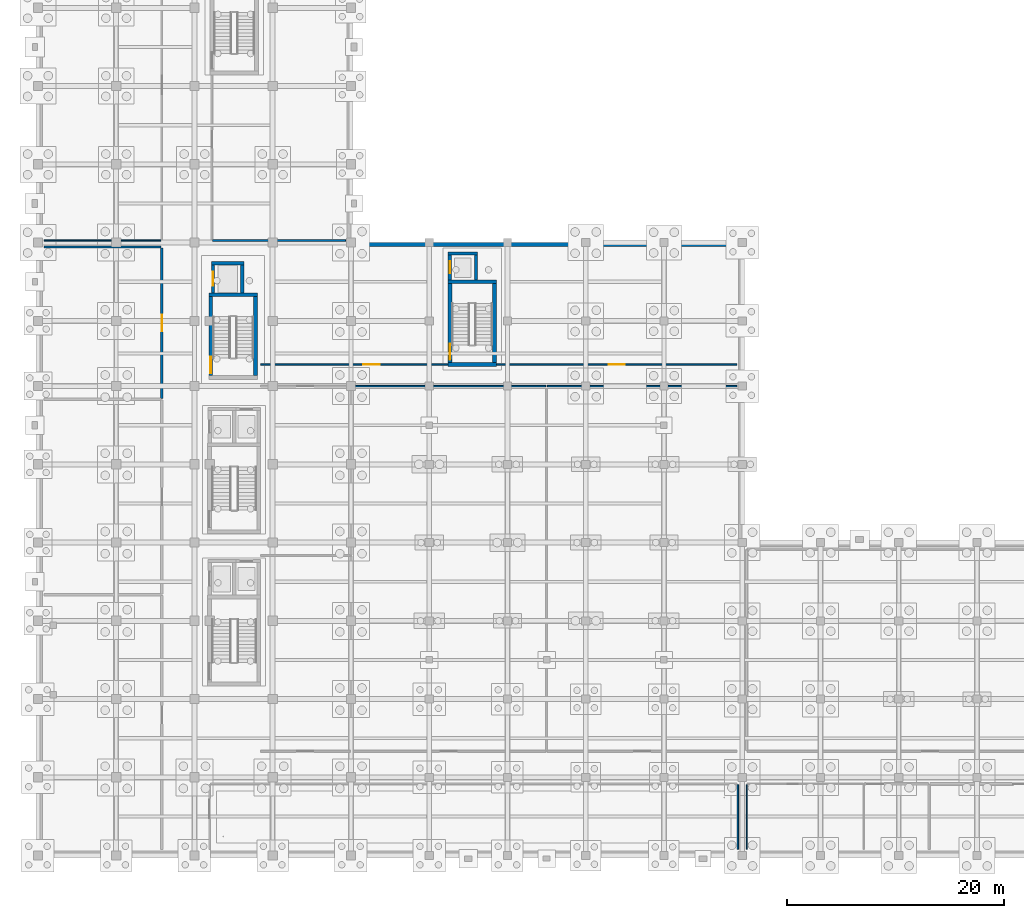
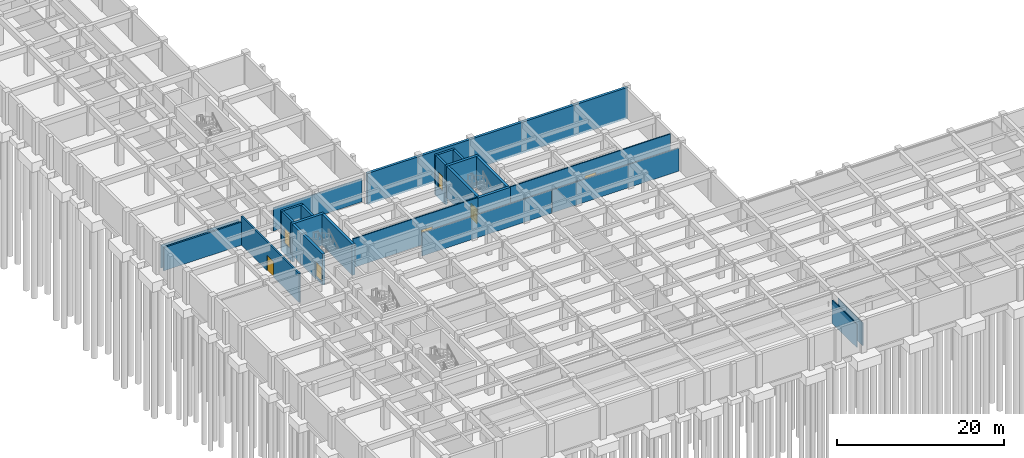
# One storey, part 16 of 28: 24 walls, 7 doors, 7 openings.
"""IFC4 building model written with IfcOpenShell, lengths in metres."""

from ifc_helpers import new_model, si_unit, direction, frame, frame_2d, origin, place, context, subcontext, project, spatial, rectangle, extrude, material, layer, layer_set, type_object, element, fill, save


model = new_model("IFC4")

# Units and contexts
model_context = context("Model", 3, precision=1e-05, world=origin(), true_north=direction((0.0, 1.0)))
body_context = subcontext(model_context, "Body", "Model", "MODEL_VIEW")
ifc_project = project(units=[si_unit("LENGTHUNIT", "METRE"), si_unit("AREAUNIT", "SQUARE_METRE"), si_unit("VOLUMEUNIT", "CUBIC_METRE"), si_unit("PLANEANGLEUNIT", "RADIAN"), si_unit("MASSUNIT", "GRAM", prefix="KILO")], contexts=[model_context])

# Site, building, storey
site_placement = place(None, origin())
site = spatial("IfcSite", under=ifc_project, at=site_placement, CompositionType="ELEMENT")
building_placement = place(site_placement, origin())
building = spatial("IfcBuilding", under=site, at=building_placement, Name="Alvorim Cloister Faculty of Sciences", CompositionType="ELEMENT")
storey_placement = place(building_placement, frame((0.0, 0.0, -4.5)))
storey = spatial("IfcBuildingStorey", under=building, at=storey_placement, Name="B01", CompositionType="ELEMENT", Elevation=-4.5)

# Walls
ifc_material_1 = material(Name="Moisture-Resistant Tile Stud Partition", Category="gypsum")
ifc_layer_1 = layer(ifc_material_1, 0.10009765625)
ifc_layer_set_1 = layer_set([ifc_layer_1], Name="Moisture-Resistant Tile Stud Partition")
wall_type_1 = type_object("IfcWallType", Name="WL-PRT-100", PredefinedType="PARTITIONING", material=ifc_layer_set_1)
wall_1_placement = place(storey_placement, frame((65.199951171875, 0.580078125, 0.0), z_axis=(0.0, 0.0, 1.0), x_axis=(0.0, 1.0, 0.0)))
element("IfcWall", 1, at=wall_1_placement, inside=storey, type_object=wall_type_1, Name="B01 Basement Accessible WCs Partition IWL-0435", PredefinedType="PARTITIONING", context=body_context, shape_type="SweptSolid", body=[
    extrude(rectangle(XDim=5.93994140625, YDim=0.10009765625, at=frame_2d((2.969970703125, 0.0))), origin(), (0.0, 0.0, 1.0), 3.375),
])
ifc_material_2 = material(Name="Acoustic Gypsum Stud Partition", Category="gypsum")
ifc_layer_2 = layer(ifc_material_2, 0.1201171875)
ifc_layer_set_2 = layer_set([ifc_layer_2], Name="Acoustic Gypsum Stud Partition")
wall_type_2 = type_object("IfcWallType", Name="WL-PRT-120", PredefinedType="PARTITIONING", material=ifc_layer_set_2)
wall_2_placement = place(storey_placement, frame((64.39990234375, 0.580078125, 0.0), z_axis=(0.0, 0.0, 1.0), x_axis=(0.0, 1.0, 0.0)))
element("IfcWall", 2, at=wall_2_placement, inside=storey, type_object=wall_type_2, Name="B01 Paleontology and Herbarium Science Collection Partition IWL-0429", PredefinedType="PARTITIONING", context=body_context, shape_type="SweptSolid", body=[
    extrude(rectangle(XDim=5.93994140625, YDim=0.1201171875, at=frame_2d((2.969970703125, 0.0))), origin(), (0.0, 0.0, 1.0), 3.375),
])
wall_3_placement = place(storey_placement, frame((0.580078125, 56.60009765625, 0.0), z_axis=(0.0, 0.0, 1.0), x_axis=(1.0, 0.0, 0.0)))
element("IfcWall", 3, at=wall_3_placement, inside=storey, type_object=wall_type_2, Name="B01 Rare Science Compactus Archive Stack A Partition IWL-0447", PredefinedType="PARTITIONING", context=body_context, shape_type="SweptSolid", body=[
    extrude(rectangle(XDim=10.739990234375, YDim=0.1201171875, at=frame_2d((5.3701171875, 0.0))), origin(), (0.0, 0.0, 1.0), 3.375),
])
ifc_material_3 = material(Name="Gypsum Fireboard Stud Partition", Category="gypsum")
ifc_layer_3 = layer(ifc_material_3, 0.14990234375)
ifc_layer_set_3 = layer_set([ifc_layer_3], Name="Gypsum Fireboard Stud Partition")
wall_type_3 = type_object("IfcWallType", Name="WL-PRT-150", PredefinedType="PARTITIONING", material=ifc_layer_set_3)
wall_4_placement = place(storey_placement, frame((28.8798828125, 43.199951171875, 0.0), z_axis=(0.0, 0.0, 1.0), x_axis=(1.0, 0.0, 0.0)))
element("IfcWall", 4, at=wall_4_placement, inside=storey, type_object=wall_type_3, Name="B01 Sub-Grade Optical Metrology Laboratory West Partition IWL-0423", PredefinedType="PARTITIONING", context=body_context, shape_type="SweptSolid", body=[
    extrude(rectangle(XDim=17.840087890625, YDim=0.14990234375, at=frame_2d((8.919921875, 0.0))), origin(), (0.0, 0.0, 1.0), 3.375),
])
wall_5_placement = place(storey_placement, frame((46.8798828125, 43.199951171875, 0.0), z_axis=(0.0, 0.0, 1.0), x_axis=(1.0, 0.0, 0.0)))
element("IfcWall", 5, at=wall_5_placement, inside=storey, type_object=wall_type_3, Name="B01 Sub-Grade Geochronology and Isotope Laboratory Partition IWL-0425", PredefinedType="PARTITIONING", context=body_context, shape_type="SweptSolid", body=[
    extrude(rectangle(XDim=17.440185546875, YDim=0.14990234375, at=frame_2d((8.72021484375, 0.0))), origin(), (0.0, 0.0, 1.0), 3.375),
])

# Wall, opening, door
wall_6_placement = place(storey_placement, frame((20.47998046875, 45.199951171875, 0.0), z_axis=(0.0, 0.0, 1.0), x_axis=(1.0, 0.0, 0.0)))
wall_6 = element("IfcWall", 6, at=wall_6_placement, inside=storey, type_object=wall_type_3, Name="B01 Analytical Chemistry Preparation Laboratory Partition IWL-0426", PredefinedType="PARTITIONING", context=body_context, shape_type="SweptSolid", body=[
    extrude(rectangle(XDim=17.239990234375, YDim=0.14990234375, at=frame_2d((8.6201171875, 0.0))), origin(), (0.0, 0.0, 1.0), 4.22509765625),
])
opening_1_placement = place(wall_6_placement, frame((9.463623046875, 0.0, 0.0)))
opening_1 = element("IfcOpeningElement", 7, at=opening_1_placement, cuts=wall_6, Name="Opening D-B01-066", PredefinedType="OPENING", context=body_context, shape_type="SweptSolid", body=[
    extrude(rectangle(XDim=1.5, YDim=2.199951171875, at=frame_2d((0.75, 1.10009765625))), frame((0.0, 0.0869140625, 0.0), z_axis=(0.0, -1.0, 0.0), x_axis=(1.0, 0.0, 0.0)), (0.0, 0.0, 1.0), 0.173828125),
])
ifc_material_4 = material(Name="Fire-Rated Laminate Timber", Category="wood")
door_type_1 = type_object("IfcDoorType", Name="DR-LAB-1500x2200", OperationType="NOTDEFINED", PredefinedType="DOOR", material=ifc_material_4)
door_1_placement = place(opening_1_placement, origin())
door_1 = element("IfcDoor", 8, at=door_1_placement, inside=storey, type_object=door_type_1, Name="Analytical Chemistry Preparation Laboratory Door D-B01-066", OperationType="DOUBLE_DOOR_SINGLE_SWING", OverallHeight=2.199951171875, OverallWidth=1.5, PredefinedType="DOOR", context=body_context, shape_type="SweptSolid", body=[
    extrude(rectangle(XDim=1.5, YDim=2.199951171875, at=frame_2d((0.75, 1.10009765625))), frame((0.0, 0.02490234375, 0.0), z_axis=(0.0, -1.0, 0.0), x_axis=(1.0, 0.0, 0.0)), (0.0, 0.0, 1.0), 0.050048828125),
])
fill(opening_1, door_1)

wall_7_placement = place(storey_placement, frame((42.199951171875, 45.199951171875, 0.0), z_axis=(0.0, 0.0, 1.0), x_axis=(1.0, 0.0, 0.0)))
wall_7 = element("IfcWall", 9, at=wall_7_placement, inside=storey, type_object=wall_type_3, Name="B01 Microbiology Media Preparation Laboratory Partition IWL-0427", PredefinedType="PARTITIONING", context=body_context, shape_type="SweptSolid", body=[
    extrude(rectangle(XDim=22.1201171875, YDim=0.14990234375, at=frame_2d((11.06005859375, 0.0))), origin(), (0.0, 0.0, 1.0), 4.22509765625),
])
opening_2_placement = place(wall_7_placement, frame((10.31005859375, 0.0, 0.0)))
opening_2 = element("IfcOpeningElement", 10, at=opening_2_placement, cuts=wall_7, Name="Opening D-B01-067", PredefinedType="OPENING", context=body_context, shape_type="SweptSolid", body=[
    extrude(rectangle(XDim=1.5, YDim=2.199951171875, at=frame_2d((0.75, 1.10009765625))), frame((0.0, 0.0869140625, 0.0), z_axis=(0.0, -1.0, 0.0), x_axis=(1.0, 0.0, 0.0)), (0.0, 0.0, 1.0), 0.173828125),
])
door_2_placement = place(opening_2_placement, origin())
door_2 = element("IfcDoor", 11, at=door_2_placement, inside=storey, type_object=door_type_1, Name="Microbiology Media Preparation Laboratory Door D-B01-067", OperationType="DOUBLE_DOOR_SINGLE_SWING", OverallHeight=2.199951171875, OverallWidth=1.5, PredefinedType="DOOR", context=body_context, shape_type="SweptSolid", body=[
    extrude(rectangle(XDim=1.5, YDim=2.199951171875, at=frame_2d((0.75, 1.10009765625))), frame((0.0, 0.02490234375, 0.0), z_axis=(0.0, -1.0, 0.0), x_axis=(1.0, 0.0, 0.0)), (0.0, 0.0, 1.0), 0.050048828125),
])
fill(opening_2, door_2)

# Wall
wall_8_placement = place(storey_placement, frame((16.080078125, 56.60009765625, 0.0), z_axis=(0.0, 0.0, 1.0), x_axis=(1.0, 0.0, 0.0)))
element("IfcWall", 12, at=wall_8_placement, inside=storey, type_object=wall_type_3, Name="B01 Digital Preservation and Microfilm Lab Partition IWL-0452", PredefinedType="PARTITIONING", context=body_context, shape_type="SweptSolid", body=[
    extrude(rectangle(XDim=12.239990234375, YDim=0.14990234375, at=frame_2d((6.1201171875, 0.0))), origin(), (0.0, 0.0, 1.0), 3.375),
])

# Wall, opening, door
ifc_material_5 = material(Name="Autoclaved Aerated Concrete Blockwork", Category="masonry")
ifc_layer_4 = layer(ifc_material_5, 0.219970703125)
ifc_layer_set_4 = layer_set([ifc_layer_4], Name="Autoclaved Aerated Concrete Blockwork")
wall_type_4 = type_object("IfcWallType", Name="WL-PRT-220", PredefinedType="PARTITIONING", material=ifc_layer_set_4)
wall_9_placement = place(storey_placement, frame((11.39990234375, 42.080078125, 0.0), z_axis=(0.0, 0.0, 1.0), x_axis=(0.0, 1.0, 0.0)))
wall_9 = element("IfcWall", 13, at=wall_9_placement, inside=storey, type_object=wall_type_4, Name="B01 Rainwater Harvesting and Fire Pump Hall Partition IWL-0414", PredefinedType="PARTITIONING", context=body_context, shape_type="SweptSolid", body=[
    extrude(rectangle(XDim=13.83984375, YDim=0.219970703125, at=frame_2d((6.919921875, 0.0))), origin(), (0.0, 0.0, 1.0), 4.22509765625),
])
opening_3_placement = place(wall_9_placement, frame((6.169921875, 0.0, 0.0)))
opening_3 = element("IfcOpeningElement", 14, at=opening_3_placement, cuts=wall_9, Name="Opening D-B01-061", PredefinedType="OPENING", context=body_context, shape_type="SweptSolid", body=[
    extrude(rectangle(XDim=1.5, YDim=2.25, at=frame_2d((0.75, 1.125))), frame((0.0, 0.1220703125, 0.0), z_axis=(0.0, -1.0, 0.0), x_axis=(1.0, 0.0, 0.0)), (0.0, 0.0, 1.0), 0.243896484375),
])
ifc_material_6 = material(Name="Galvanised Fire-Rated Steel", Category="steel")
door_type_2 = type_object("IfcDoorType", Name="DR-PLN-1500x2250", OperationType="NOTDEFINED", PredefinedType="DOOR", material=ifc_material_6)
door_3_placement = place(opening_3_placement, origin())
door_3 = element("IfcDoor", 15, at=door_3_placement, inside=storey, type_object=door_type_2, Name="Rainwater Harvesting and Fire Pump Hall Door D-B01-061", OperationType="DOUBLE_DOOR_SINGLE_SWING", OverallHeight=2.25, OverallWidth=1.5, PredefinedType="DOOR", context=body_context, shape_type="SweptSolid", body=[
    extrude(rectangle(XDim=1.5, YDim=2.25, at=frame_2d((0.75, 1.125))), frame((0.0, 0.02490234375, 0.0), z_axis=(0.0, -1.0, 0.0), x_axis=(1.0, 0.0, 0.0)), (0.0, 0.0, 1.0), 0.050048828125),
])
fill(opening_3, door_3)

# Walls
wall_10_placement = place(storey_placement, frame((0.580078125, 56.0, 0.0), z_axis=(0.0, 0.0, 1.0), x_axis=(1.0, 0.0, 0.0)))
element("IfcWall", 16, at=wall_10_placement, inside=storey, type_object=wall_type_4, Name="B01 Rainwater Harvesting and Fire Pump Hall Partition IWL-0415", PredefinedType="PARTITIONING", context=body_context, shape_type="SweptSolid", body=[
    extrude(rectangle(XDim=10.739990234375, YDim=0.219970703125, at=frame_2d((5.3701171875, 0.0))), origin(), (0.0, 0.0, 1.0), 3.375),
])
ifc_material_7 = material(Name="Concrete C40", Category="concrete")
ifc_layer_5 = layer(ifc_material_7, 0.35009765625)
ifc_layer_set_5 = layer_set([ifc_layer_5], Name="Concrete C40")
wall_type_5 = type_object("IfcWallType", Name="WL-RET-350", PredefinedType="USERDEFINED", material=ifc_layer_set_5)
wall_11_placement = place(storey_placement, frame((28.800048828125, 56.22509765625, -0.300048828125), z_axis=(0.0, 0.0, 1.0), x_axis=(1.0, 0.0, 0.0)))
element("IfcWall", 17, at=wall_11_placement, inside=storey, type_object=wall_type_5, Name="B01 Perimeter Retaining Wall WL-RET-0014", ObjectType="RETAINING WALL", PredefinedType="USERDEFINED", context=body_context, shape_type="SweptSolid", body=[
    extrude(rectangle(XDim=36.0, YDim=0.35009765625, at=frame_2d((18.0, 0.0))), origin(), (0.0, 0.0, 1.0), 4.5400390625),
])
ifc_layer_6 = layer(ifc_material_7, 0.300048828125)
ifc_layer_set_6 = layer_set([ifc_layer_6], Name="Concrete C40")
wall_type_6 = type_object("IfcWallType", Name="WL-SHR-300", PredefinedType="SHEAR", material=ifc_layer_set_6)
wall_12_placement = place(storey_placement, frame((37.75, 55.39990234375, -1.60009765625), z_axis=(0.0, 0.0, 1.0), x_axis=(1.0, 0.0, 0.0)))
element("IfcWall", 18, at=wall_12_placement, inside=storey, type_object=wall_type_6, Name="B01 Lift LP-04 Shaft Wall IWL-0338", PredefinedType="SHEAR", context=body_context, shape_type="SweptSolid", body=[
    extrude(rectangle(XDim=2.699951171875, YDim=0.300048828125, at=frame_2d((1.35009765625, 0.0))), origin(), (0.0, 0.0, 1.0), 5.840087890625),
])

# Wall, opening, door
wall_13_placement = place(storey_placement, frame((37.89990234375, 52.97998046875, -1.60009765625), z_axis=(0.0, 0.0, 1.0), x_axis=(0.0, 1.0, 0.0)))
wall_13 = element("IfcWall", 19, at=wall_13_placement, inside=storey, type_object=wall_type_6, Name="B01 Lift LP-04 Shaft Wall IWL-0339", PredefinedType="SHEAR", context=body_context, shape_type="SweptSolid", body=[
    extrude(rectangle(XDim=2.27001953125, YDim=0.300048828125, at=frame_2d((1.135009765625, 0.0))), origin(), (0.0, 0.0, 1.0), 5.840087890625),
])
opening_4_placement = place(wall_13_placement, frame((0.5849609375, 0.0, 1.60009765625)))
opening_4 = element("IfcOpeningElement", 20, at=opening_4_placement, cuts=wall_13, Name="Opening LD-043", PredefinedType="OPENING", context=body_context, shape_type="SweptSolid", body=[
    extrude(rectangle(XDim=1.10009765625, YDim=2.199951171875, at=frame_2d((0.550048828125, 1.10009765625))), frame((0.0, 0.162109375, 0.0), z_axis=(0.0, -1.0, 0.0), x_axis=(1.0, 0.0, 0.0)), (0.0, 0.0, 1.0), 0.323974609375),
])
ifc_material_8 = material(Name="Brushed Stainless Steel", Category="steel")
door_type_3 = type_object("IfcDoorType", Name="DR-LFT-1100x2200", OperationType="NOTDEFINED", PredefinedType="DOOR", material=ifc_material_8)
door_4_placement = place(opening_4_placement, origin())
door_4 = element("IfcDoor", 21, at=door_4_placement, inside=storey, type_object=door_type_3, Name="B01 Lift LP-04 Sliding Landing Door LD-043", OperationType="DOUBLE_DOOR_SLIDING", OverallHeight=2.199951171875, OverallWidth=1.10009765625, PredefinedType="DOOR", context=body_context, shape_type="SweptSolid", body=[
    extrude(rectangle(XDim=1.10009765625, YDim=2.199951171875, at=frame_2d((0.550048828125, 1.10009765625))), frame((0.0, 0.02490234375, 0.0), z_axis=(0.0, -1.0, 0.0), x_axis=(1.0, 0.0, 0.0)), (0.0, 0.0, 1.0), 0.050048828125),
])
fill(opening_4, door_4)

# Walls
wall_14_placement = place(storey_placement, frame((40.300048828125, 52.97998046875, -1.60009765625), z_axis=(0.0, 0.0, 1.0), x_axis=(0.0, 1.0, 0.0)))
element("IfcWall", 22, at=wall_14_placement, inside=storey, type_object=wall_type_6, Name="B01 Lift LP-04 Shaft Wall IWL-0340", PredefinedType="SHEAR", context=body_context, shape_type="SweptSolid", body=[
    extrude(rectangle(XDim=2.27001953125, YDim=0.300048828125, at=frame_2d((1.135009765625, 0.0))), origin(), (0.0, 0.0, 1.0), 5.840087890625),
])
wall_15_placement = place(storey_placement, frame((15.949951171875, 54.5, -1.60009765625), z_axis=(0.0, 0.0, 1.0), x_axis=(1.0, 0.0, 0.0)))
element("IfcWall", 23, at=wall_15_placement, inside=storey, type_object=wall_type_6, Name="B01 Lift LG-01 Shaft Wall IWL-0380", PredefinedType="SHEAR", context=body_context, shape_type="SweptSolid", body=[
    extrude(rectangle(XDim=3.0, YDim=0.300048828125, at=frame_2d((1.5, 0.0))), origin(), (0.0, 0.0, 1.0), 5.840087890625),
])

# Wall, opening, door
wall_16_placement = place(storey_placement, frame((16.10009765625, 51.780029296875, -1.60009765625), z_axis=(0.0, 0.0, 1.0), x_axis=(0.0, 1.0, 0.0)))
wall_16 = element("IfcWall", 24, at=wall_16_placement, inside=storey, type_object=wall_type_6, Name="B01 Lift LG-01 Shaft Wall IWL-0381", PredefinedType="SHEAR", context=body_context, shape_type="SweptSolid", body=[
    extrude(rectangle(XDim=2.570068359375, YDim=0.300048828125, at=frame_2d((1.28515625, 0.0))), origin(), (0.0, 0.0, 1.0), 5.840087890625),
])
opening_5_placement = place(wall_16_placement, frame((0.635009765625, 0.0, 1.60009765625)))
opening_5 = element("IfcOpeningElement", 25, at=opening_5_placement, cuts=wall_16, Name="Opening LD-057", PredefinedType="OPENING", context=body_context, shape_type="SweptSolid", body=[
    extrude(rectangle(XDim=1.300048828125, YDim=2.25, at=frame_2d((0.64990234375, 1.125))), frame((0.0, 0.162109375, 0.0), z_axis=(0.0, -1.0, 0.0), x_axis=(1.0, 0.0, 0.0)), (0.0, 0.0, 1.0), 0.323974609375),
])
door_type_4 = type_object("IfcDoorType", Name="DR-LFT-1300x2250", OperationType="NOTDEFINED", PredefinedType="DOOR", material=ifc_material_8)
door_5_placement = place(opening_5_placement, origin())
door_5 = element("IfcDoor", 26, at=door_5_placement, inside=storey, type_object=door_type_4, Name="B01 Lift LG-01 Sliding Landing Door LD-057", OperationType="DOUBLE_DOOR_SLIDING", OverallHeight=2.25, OverallWidth=1.300048828125, PredefinedType="DOOR", context=body_context, shape_type="SweptSolid", body=[
    extrude(rectangle(XDim=1.300048828125, YDim=2.25, at=frame_2d((0.64990234375, 1.125))), frame((0.0, 0.02490234375, 0.0), z_axis=(0.0, -1.0, 0.0), x_axis=(1.0, 0.0, 0.0)), (0.0, 0.0, 1.0), 0.050048828125),
])
fill(opening_5, door_5)

# Walls
wall_17_placement = place(storey_placement, frame((18.800048828125, 51.780029296875, -1.60009765625), z_axis=(0.0, 0.0, 1.0), x_axis=(0.0, 1.0, 0.0)))
element("IfcWall", 27, at=wall_17_placement, inside=storey, type_object=wall_type_6, Name="B01 Lift LG-01 Shaft Wall IWL-0382", PredefinedType="SHEAR", context=body_context, shape_type="SweptSolid", body=[
    extrude(rectangle(XDim=2.570068359375, YDim=0.300048828125, at=frame_2d((1.28515625, 0.0))), origin(), (0.0, 0.0, 1.0), 5.840087890625),
])
ifc_layer_7 = layer(ifc_material_7, 0.360107421875)
ifc_layer_set_7 = layer_set([ifc_layer_7], Name="Concrete C40")
wall_type_7 = type_object("IfcWallType", Name="WL-SHR-360", PredefinedType="SHEAR", material=ifc_layer_set_7)
wall_18_placement = place(storey_placement, frame((15.719970703125, 51.60009765625, -0.300048828125), z_axis=(0.0, 0.0, 1.0), x_axis=(1.0, 0.0, 0.0)))
element("IfcWall", 28, at=wall_18_placement, inside=storey, type_object=wall_type_7, Name="B01 CORE K3 Shear Wall IWL-0090", PredefinedType="SHEAR", context=body_context, shape_type="SweptSolid", body=[
    extrude(rectangle(XDim=4.47998046875, YDim=0.360107421875, at=frame_2d((2.239990234375, 0.0))), origin(), (0.0, 0.0, 1.0), 4.5400390625),
])

# Wall, opening, door
wall_19_placement = place(storey_placement, frame((15.89990234375, 44.179931640625, -0.300048828125), z_axis=(0.0, 0.0, 1.0), x_axis=(0.0, 1.0, 0.0)))
wall_19 = element("IfcWall", 29, at=wall_19_placement, inside=storey, type_object=wall_type_7, Name="B01 CORE K3 Shear Wall IWL-0091", PredefinedType="SHEAR", context=body_context, shape_type="SweptSolid", body=[
    extrude(rectangle(XDim=7.239990234375, YDim=0.360107421875, at=frame_2d((3.6201171875, 0.0))), origin(), (0.0, 0.0, 1.0), 4.5400390625),
])
opening_6_placement = place(wall_19_placement, frame((0.219970703125, 0.0, 0.300048828125)))
opening_6 = element("IfcOpeningElement", 30, at=opening_6_placement, cuts=wall_19, Name="Opening SD-K3-B01", PredefinedType="OPENING", context=body_context, shape_type="SweptSolid", body=[
    extrude(rectangle(XDim=1.5, YDim=2.199951171875, at=frame_2d((0.75, 1.10009765625))), frame((0.0, 0.19189453125, 0.0), z_axis=(0.0, -1.0, 0.0), x_axis=(1.0, 0.0, 0.0)), (0.0, 0.0, 1.0), 0.384033203125),
])
door_type_5 = type_object("IfcDoorType", Name="DR-STR-1500x2200", OperationType="NOTDEFINED", PredefinedType="DOOR", material=ifc_material_6)
door_6_placement = place(opening_6_placement, origin())
door_6 = element("IfcDoor", 31, at=door_6_placement, inside=storey, type_object=door_type_5, Name="B01 Stair ST-03 Fire Door SD-K3-B01", OperationType="DOUBLE_DOOR_SINGLE_SWING", OverallHeight=2.199951171875, OverallWidth=1.5, PredefinedType="DOOR", context=body_context, shape_type="SweptSolid", body=[
    extrude(rectangle(XDim=1.5, YDim=2.199951171875, at=frame_2d((0.75, 1.10009765625))), frame((0.0, 0.02490234375, 0.0), z_axis=(0.0, -1.0, 0.0), x_axis=(1.0, 0.0, 0.0)), (0.0, 0.0, 1.0), 0.050048828125),
])
fill(opening_6, door_6)

# Walls
wall_20_placement = place(storey_placement, frame((20.02001953125, 44.179931640625, -0.300048828125), z_axis=(0.0, 0.0, 1.0), x_axis=(0.0, 1.0, 0.0)))
element("IfcWall", 32, at=wall_20_placement, inside=storey, type_object=wall_type_7, Name="B01 CORE K3 Shear Wall IWL-0092", PredefinedType="SHEAR", context=body_context, shape_type="SweptSolid", body=[
    extrude(rectangle(XDim=7.239990234375, YDim=0.360107421875, at=frame_2d((3.6201171875, 0.0))), origin(), (0.0, 0.0, 1.0), 4.5400390625),
])
for number, where, z_axis, x_axis, name in (
    (33, (37.719970703125, 45.199951171875, -0.300048828125), (0.0, 0.0, 1.0), (1.0, 0.0, 0.0), "B01 CORE K4 Shear Wall IWL-0129"),
    (34, (37.719970703125, 52.800048828125, -0.300048828125), (0.0, 0.0, 1.0), (1.0, 0.0, 0.0), "B01 CORE K4 Shear Wall IWL-0130"),
):
    element("IfcWall", number, at=place(storey_placement, frame(where, z_axis=z_axis, x_axis=x_axis)), inside=storey, type_object=wall_type_7, Name=name, PredefinedType="SHEAR", context=body_context, shape_type="SweptSolid", body=[
        extrude(rectangle(XDim=4.47998046875, YDim=0.360107421875, at=frame_2d((2.239990234375, 0.0))), origin(), (0.0, 0.0, 1.0), 4.5400390625),
    ])

# Wall, opening, door
wall_21_placement = place(storey_placement, frame((37.89990234375, 45.3798828125, -0.300048828125), z_axis=(0.0, 0.0, 1.0), x_axis=(0.0, 1.0, 0.0)))
wall_21 = element("IfcWall", 35, at=wall_21_placement, inside=storey, type_object=wall_type_7, Name="B01 CORE K4 Shear Wall IWL-0131", PredefinedType="SHEAR", context=body_context, shape_type="SweptSolid", body=[
    extrude(rectangle(XDim=7.240234375, YDim=0.360107421875, at=frame_2d((3.6201171875, 0.0))), origin(), (0.0, 0.0, 1.0), 4.5400390625),
])
opening_7_placement = place(wall_21_placement, frame((0.219970703125, 0.0, 0.300048828125)))
opening_7 = element("IfcOpeningElement", 36, at=opening_7_placement, cuts=wall_21, Name="Opening SD-K4-B01", PredefinedType="OPENING", context=body_context, shape_type="SweptSolid", body=[
    extrude(rectangle(XDim=1.5, YDim=2.199951171875, at=frame_2d((0.75, 1.10009765625))), frame((0.0, 0.19189453125, 0.0), z_axis=(0.0, -1.0, 0.0), x_axis=(1.0, 0.0, 0.0)), (0.0, 0.0, 1.0), 0.384033203125),
])
door_7_placement = place(opening_7_placement, origin())
door_7 = element("IfcDoor", 37, at=door_7_placement, inside=storey, type_object=door_type_5, Name="B01 Stair ST-04 Fire Door SD-K4-B01", OperationType="DOUBLE_DOOR_SINGLE_SWING", OverallHeight=2.199951171875, OverallWidth=1.5, PredefinedType="DOOR", context=body_context, shape_type="SweptSolid", body=[
    extrude(rectangle(XDim=1.5, YDim=2.199951171875, at=frame_2d((0.75, 1.10009765625))), frame((0.0, 0.02490234375, 0.0), z_axis=(0.0, -1.0, 0.0), x_axis=(1.0, 0.0, 0.0)), (0.0, 0.0, 1.0), 0.050048828125),
])
fill(opening_7, door_7)

# Wall
wall_22_placement = place(storey_placement, frame((42.02001953125, 45.3798828125, -0.300048828125), z_axis=(0.0, 0.0, 1.0), x_axis=(0.0, 1.0, 0.0)))
element("IfcWall", 38, at=wall_22_placement, inside=storey, type_object=wall_type_7, Name="B01 CORE K4 Shear Wall IWL-0132", PredefinedType="SHEAR", context=body_context, shape_type="SweptSolid", body=[
    extrude(rectangle(XDim=7.240234375, YDim=0.360107421875, at=frame_2d((3.6201171875, 0.0))), origin(), (0.0, 0.0, 1.0), 4.5400390625),
])

save(model, "model.ifc")
